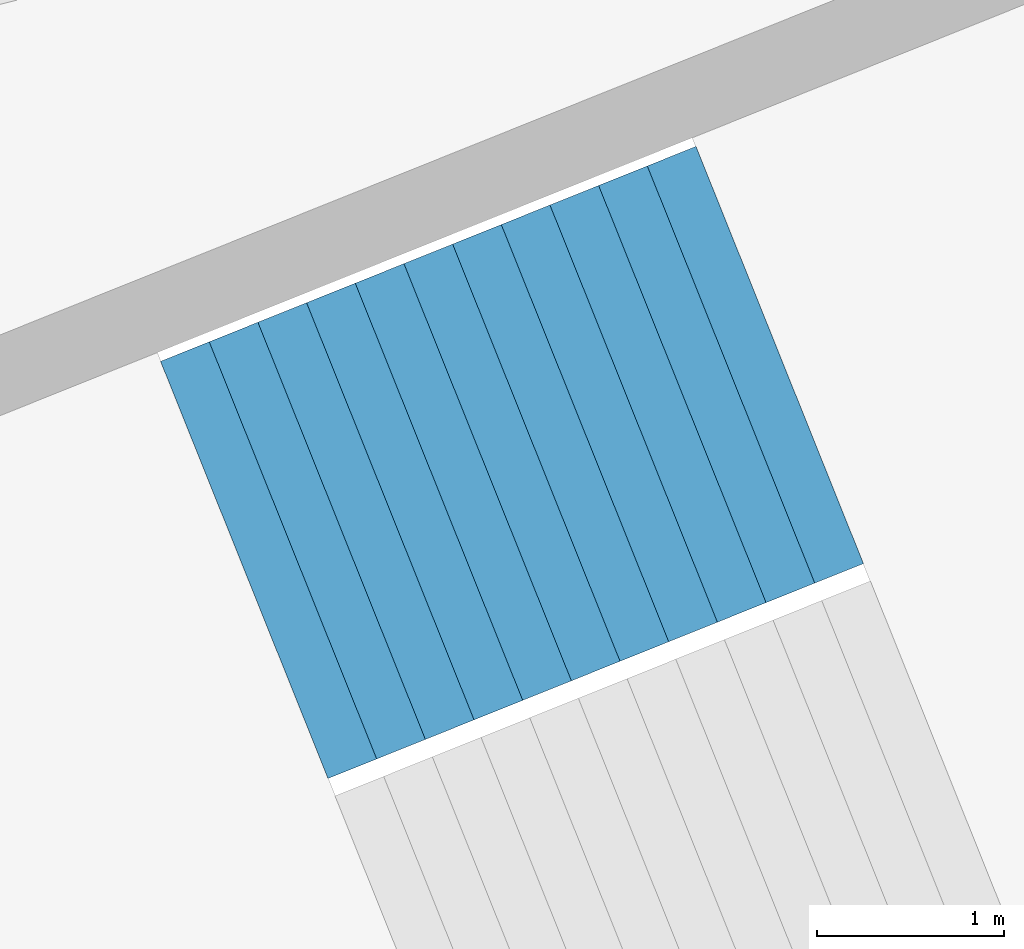
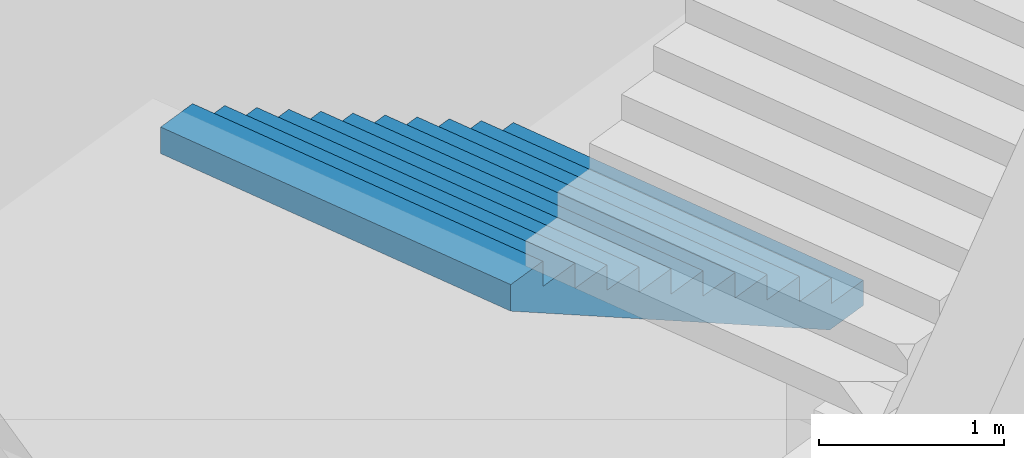
# One storey, part 21 of 74: 1 stair flight, 1 element without a shape of its own.
"""IFC4 building model written with IfcOpenShell, lengths in metres."""

from ifc_helpers import new_model, si_unit, direction, frame, origin, place, context, subcontext, project, spatial, triangles, material, type_object, element, aggregate, save


model = new_model("IFC4")

# Units and contexts
model_context = context("Model", 3, precision=1e-05, world=origin(), true_north=direction((0.0, 1.0)))
body_context = subcontext(model_context, "Body", "Model", "MODEL_VIEW")
ifc_project = project(units=[si_unit("LENGTHUNIT", "METRE"), si_unit("AREAUNIT", "SQUARE_METRE"), si_unit("VOLUMEUNIT", "CUBIC_METRE"), si_unit("PLANEANGLEUNIT", "RADIAN"), si_unit("MASSUNIT", "GRAM", prefix="KILO")], contexts=[model_context])

# Site, building, storey
site_placement = place(None, origin())
site = spatial("IfcSite", under=ifc_project, at=site_placement, CompositionType="ELEMENT")
building_placement = place(site_placement, origin())
building = spatial("IfcBuilding", under=site, at=building_placement, Name="Lantaw Convention Tower", CompositionType="ELEMENT")
storey_placement = place(building_placement, frame((0.0, 0.0, 6.5)))
storey = spatial("IfcBuildingStorey", under=building, at=storey_placement, Name="L01", CompositionType="ELEMENT", Elevation=6.5)

# Stair, stair flight
ifc_material = material(Name="Concrete C35/45", Category="concrete")
stair_type = type_object("IfcStairType", Name="Exit stair 2400 riser 166.67 in 4 flights", PredefinedType="HALF_TURN_STAIR", material=ifc_material)
stair_placement = place(storey_placement, origin())
stair = element("IfcStair", 1, at=stair_placement, inside=storey, type_object=stair_type, Name="Podium exit stair P11 L01", PredefinedType="HALF_TURN_STAIR")
stair_flight_type = type_object("IfcStairFlightType", Name="Stair flight 2400 riser 166.67", PredefinedType="STRAIGHT", material=ifc_material)
stair_flight_placement = place(storey_placement, frame((-30.017578125, -10.703369140625, 4.0), z_axis=(0.0, 0.0, 1.0), x_axis=(-0.928015168305, -0.372542410198, 0.0)))
stair_flight = element("IfcStairFlight", 2, at=stair_flight_placement, type_object=stair_flight_type, Name="P11 flight 3", NumberOfRisers=12, NumberOfTreads=11, PredefinedType="STRAIGHT", RiserHeight=0.166666667, TreadLength=0.28, context=body_context, shape_type="Tessellation", body=[
    triangles([(0.0, 1.199951171875, 0.0), (0.0, 1.199951171875, 0.166666667), (0.28, 1.199951171875, 0.0), (0.28, 1.199951171875, 0.166666667), (0.28, 1.199951171875, 0.333333334), (0.29307345806906726, 1.199951171875, 0.0), (0.29307345806906726, 1.199951171875, 0.333333334), (0.56, 1.199951171875, 0.15888484670522965), (0.56, 1.199951171875, 0.333333334), (0.56, 1.199951171875, 0.500000001), (0.8400000000000001, 1.199951171875, 0.3255515137052296), (0.8400000000000001, 1.199951171875, 0.500000001), (0.8400000000000001, 1.199951171875, 0.666666668), (1.12, 1.199951171875, 0.4922181807052296), (1.12, 1.199951171875, 0.666666668), (1.12, 1.199951171875, 0.833333335), (1.4000000000000001, 1.199951171875, 0.6588848477052296), (1.4000000000000001, 1.199951171875, 0.833333335), (1.4000000000000001, 1.199951171875, 1.000000002), (1.6800000000000002, 1.199951171875, 0.8255515147052296), (1.6800000000000002, 1.199951171875, 1.000000002), (1.6800000000000002, 1.199951171875, 1.166666669), (1.9600000000000002, 1.199951171875, 0.9922181817052296), (1.9600000000000002, 1.199951171875, 1.166666669), (1.9600000000000002, 1.199951171875, 1.333333336), (2.24, 1.199951171875, 1.1588848487052295), (2.24, 1.199951171875, 1.333333336), (2.24, 1.199951171875, 1.5000000029999998), (2.5200000000000005, 1.199951171875, 1.3255515157052296), (2.5200000000000005, 1.199951171875, 1.5000000029999998), (2.5200000000000005, 1.199951171875, 1.66666667), (2.8000000000000003, 1.199951171875, 1.4922181827052294), (2.8000000000000003, 1.199951171875, 1.66666667), (2.8000000000000003, 1.199951171875, 1.833333337), (3.08, 1.199951171875, 1.6588848497052293), (3.08, 1.199951171875, 1.833333337), (0.0, -1.199951171875, 0.0), (0.0, -1.199951171875, 0.166666667), (0.28, -1.199951171875, 0.0), (0.28, -1.199951171875, 0.166666667), (0.28, -1.199951171875, 0.333333334), (0.29307345806906726, -1.199951171875, 0.0), (0.29307345806906726, -1.199951171875, 0.333333334), (0.56, -1.199951171875, 0.15888484670522965), (0.56, -1.199951171875, 0.333333334), (0.56, -1.199951171875, 0.500000001), (0.8400000000000001, -1.199951171875, 0.3255515137052296), (0.8400000000000001, -1.199951171875, 0.500000001), (0.8400000000000001, -1.199951171875, 0.666666668), (1.12, -1.199951171875, 0.4922181807052296), (1.12, -1.199951171875, 0.666666668), (1.12, -1.199951171875, 0.833333335), (1.4000000000000001, -1.199951171875, 0.6588848477052296), (1.4000000000000001, -1.199951171875, 0.833333335), (1.4000000000000001, -1.199951171875, 1.000000002), (1.6800000000000002, -1.199951171875, 0.8255515147052296), (1.6800000000000002, -1.199951171875, 1.000000002), (1.6800000000000002, -1.199951171875, 1.166666669), (1.9600000000000002, -1.199951171875, 0.9922181817052296), (1.9600000000000002, -1.199951171875, 1.166666669), (1.9600000000000002, -1.199951171875, 1.333333336), (2.24, -1.199951171875, 1.1588848487052295), (2.24, -1.199951171875, 1.333333336), (2.24, -1.199951171875, 1.5000000029999998), (2.5200000000000005, -1.199951171875, 1.3255515157052296), (2.5200000000000005, -1.199951171875, 1.5000000029999998), (2.5200000000000005, -1.199951171875, 1.66666667), (2.8000000000000003, -1.199951171875, 1.4922181827052294), (2.8000000000000003, -1.199951171875, 1.66666667), (2.8000000000000003, -1.199951171875, 1.833333337), (3.08, -1.199951171875, 1.6588848497052293), (3.08, -1.199951171875, 1.833333337), (0.0, 0.239990234375, 0.166666667), (0.0, 0.239990234375, 0.0), (0.0, 0.1199951171875, 0.166666667), (0.0, 0.1199951171875, 0.0), (0.0, 0.0, 0.166666667), (0.0, 0.0, 0.0), (0.0, -0.1199951171875, 0.166666667), (0.0, -0.1199951171875, 0.0), (0.0, -0.239990234375, 0.166666667), (0.0, -0.239990234375, 0.0), (0.28, 0.239990234375, 0.333333334), (0.28, 0.239990234375, 0.166666667), (0.28, 0.1199951171875, 0.333333334), (0.28, 0.1199951171875, 0.166666667), (0.28, 0.0, 0.333333334), (0.28, 0.0, 0.166666667), (0.28, -0.1199951171875, 0.333333334), (0.28, -0.1199951171875, 0.166666667), (0.28, -0.239990234375, 0.333333334), (0.28, -0.239990234375, 0.166666667), (0.56, 0.239990234375, 0.500000001), (0.56, 0.239990234375, 0.333333334), (0.56, 0.1199951171875, 0.500000001), (0.56, 0.1199951171875, 0.333333334), (0.56, 0.0, 0.500000001), (0.56, 0.0, 0.333333334), (0.56, -0.1199951171875, 0.500000001), (0.56, -0.1199951171875, 0.333333334), (0.56, -0.239990234375, 0.500000001), (0.56, -0.239990234375, 0.333333334), (0.8400000000000001, 0.239990234375, 0.666666668), (0.8400000000000001, 0.239990234375, 0.500000001), (0.8400000000000001, 0.1199951171875, 0.666666668), (0.8400000000000001, 0.1199951171875, 0.500000001), (0.8400000000000001, 0.0, 0.666666668), (0.8400000000000001, 0.0, 0.500000001), (0.8400000000000001, -0.1199951171875, 0.666666668), (0.8400000000000001, -0.1199951171875, 0.500000001), (0.8400000000000001, -0.239990234375, 0.666666668), (0.8400000000000001, -0.239990234375, 0.500000001), (1.12, 0.239990234375, 0.833333335), (1.12, 0.239990234375, 0.666666668), (1.12, 0.1199951171875, 0.833333335), (1.12, 0.1199951171875, 0.666666668), (1.12, 0.0, 0.833333335), (1.12, 0.0, 0.666666668), (1.12, -0.1199951171875, 0.833333335), (1.12, -0.1199951171875, 0.666666668), (1.12, -0.239990234375, 0.833333335), (1.12, -0.239990234375, 0.666666668), (1.4000000000000001, 0.239990234375, 1.000000002), (1.4000000000000001, 0.239990234375, 0.833333335), (1.4000000000000001, 0.1199951171875, 1.000000002), (1.4000000000000001, 0.1199951171875, 0.833333335), (1.4000000000000001, 0.0, 1.000000002), (1.4000000000000001, 0.0, 0.833333335), (1.4000000000000001, -0.1199951171875, 1.000000002), (1.4000000000000001, -0.1199951171875, 0.833333335), (1.4000000000000001, -0.239990234375, 1.000000002), (1.4000000000000001, -0.239990234375, 0.833333335), (1.6800000000000002, 0.239990234375, 1.166666669), (1.6800000000000002, 0.239990234375, 1.000000002), (1.6800000000000002, 0.1199951171875, 1.166666669), (1.6800000000000002, 0.1199951171875, 1.000000002), (1.6800000000000002, 0.0, 1.166666669), (1.6800000000000002, 0.0, 1.000000002), (1.6800000000000002, -0.1199951171875, 1.166666669), (1.6800000000000002, -0.1199951171875, 1.000000002), (1.6800000000000002, -0.239990234375, 1.166666669), (1.6800000000000002, -0.239990234375, 1.000000002), (1.9600000000000002, 0.239990234375, 1.333333336), (1.9600000000000002, 0.239990234375, 1.166666669), (1.9600000000000002, 0.1199951171875, 1.333333336), (1.9600000000000002, 0.1199951171875, 1.166666669), (1.9600000000000002, 0.0, 1.333333336), (1.9600000000000002, 0.0, 1.166666669), (1.9600000000000002, -0.1199951171875, 1.333333336), (1.9600000000000002, -0.1199951171875, 1.166666669), (1.9600000000000002, -0.239990234375, 1.333333336), (1.9600000000000002, -0.239990234375, 1.166666669), (2.24, 0.239990234375, 1.5000000029999998), (2.24, 0.239990234375, 1.333333336), (2.24, 0.1199951171875, 1.5000000029999998), (2.24, 0.1199951171875, 1.333333336), (2.24, 0.0, 1.5000000029999998), (2.24, 0.0, 1.333333336), (2.24, -0.1199951171875, 1.5000000029999998), (2.24, -0.1199951171875, 1.333333336), (2.24, -0.239990234375, 1.5000000029999998), (2.24, -0.239990234375, 1.333333336), (2.5200000000000005, 0.239990234375, 1.66666667), (2.5200000000000005, 0.239990234375, 1.5000000029999998), (2.5200000000000005, 0.1199951171875, 1.66666667), (2.5200000000000005, 0.1199951171875, 1.5000000029999998), (2.5200000000000005, 0.0, 1.66666667), (2.5200000000000005, 0.0, 1.5000000029999998), (2.5200000000000005, -0.1199951171875, 1.66666667), (2.5200000000000005, -0.1199951171875, 1.5000000029999998), (2.5200000000000005, -0.239990234375, 1.66666667), (2.5200000000000005, -0.239990234375, 1.5000000029999998), (2.8000000000000003, 0.239990234375, 1.833333337), (2.8000000000000003, 0.239990234375, 1.66666667), (2.8000000000000003, 0.1199951171875, 1.833333337), (2.8000000000000003, 0.1199951171875, 1.66666667), (2.8000000000000003, 0.0, 1.833333337), (2.8000000000000003, 0.0, 1.66666667), (2.8000000000000003, -0.1199951171875, 1.833333337), (2.8000000000000003, -0.1199951171875, 1.66666667), (2.8000000000000003, -0.239990234375, 1.833333337), (2.8000000000000003, -0.239990234375, 1.66666667), (0.29307345806906726, 0.239990234375, 0.333333334), (0.29307345806906726, 0.1199951171875, 0.333333334), (0.29307345806906726, 0.0, 0.333333334), (0.29307345806906726, -0.1199951171875, 0.333333334), (0.29307345806906726, -0.239990234375, 0.333333334), (3.08, 0.239990234375, 1.833333337), (3.08, 0.1199951171875, 1.833333337), (3.08, 0.0, 1.833333337), (3.08, -0.1199951171875, 1.833333337), (3.08, -0.239990234375, 1.833333337), (3.08, 0.239990234375, 1.6588848497052293), (3.08, 0.1199951171875, 1.6588848497052293), (3.08, 0.0, 1.6588848497052293), (3.08, -0.1199951171875, 1.6588848497052293), (3.08, -0.239990234375, 1.6588848497052293), (2.8000000000000003, 0.239990234375, 1.4922181827052294), (2.8000000000000003, 0.1199951171875, 1.4922181827052294), (2.8000000000000003, 0.0, 1.4922181827052294), (2.8000000000000003, -0.1199951171875, 1.4922181827052294), (2.8000000000000003, -0.239990234375, 1.4922181827052294), (2.5200000000000005, 0.239990234375, 1.3255515157052296), (2.5200000000000005, 0.1199951171875, 1.3255515157052296), (2.5200000000000005, 0.0, 1.3255515157052296), (2.5200000000000005, -0.1199951171875, 1.3255515157052296), (2.5200000000000005, -0.239990234375, 1.3255515157052296), (2.24, 0.239990234375, 1.1588848487052295), (2.24, 0.1199951171875, 1.1588848487052295), (2.24, 0.0, 1.1588848487052295), (2.24, -0.1199951171875, 1.1588848487052295), (2.24, -0.239990234375, 1.1588848487052295), (1.9600000000000002, 0.239990234375, 0.9922181817052296), (1.9600000000000002, 0.1199951171875, 0.9922181817052296), (1.9600000000000002, 0.0, 0.9922181817052296), (1.9600000000000002, -0.1199951171875, 0.9922181817052296), (1.9600000000000002, -0.239990234375, 0.9922181817052296), (1.6800000000000002, 0.239990234375, 0.8255515147052296), (1.6800000000000002, 0.1199951171875, 0.8255515147052296), (1.6800000000000002, 0.0, 0.8255515147052296), (1.6800000000000002, -0.1199951171875, 0.8255515147052296), (1.6800000000000002, -0.239990234375, 0.8255515147052296), (1.4000000000000001, 0.239990234375, 0.6588848477052296), (1.4000000000000001, 0.1199951171875, 0.6588848477052296), (1.4000000000000001, 0.0, 0.6588848477052296), (1.4000000000000001, -0.1199951171875, 0.6588848477052296), (1.4000000000000001, -0.239990234375, 0.6588848477052296), (1.12, 0.239990234375, 0.4922181807052296), (1.12, 0.1199951171875, 0.4922181807052296), (1.12, 0.0, 0.4922181807052296), (1.12, -0.1199951171875, 0.4922181807052296), (1.12, -0.239990234375, 0.4922181807052296), (0.8400000000000001, 0.239990234375, 0.3255515137052296), (0.8400000000000001, 0.1199951171875, 0.3255515137052296), (0.8400000000000001, 0.0, 0.3255515137052296), (0.8400000000000001, -0.1199951171875, 0.3255515137052296), (0.8400000000000001, -0.239990234375, 0.3255515137052296), (0.56, 0.239990234375, 0.15888484670522965), (0.56, 0.1199951171875, 0.15888484670522965), (0.56, 0.0, 0.15888484670522965), (0.56, -0.1199951171875, 0.15888484670522965), (0.56, -0.239990234375, 0.15888484670522965), (0.29307345806906726, 0.239990234375, 0.0), (0.29307345806906726, 0.1199951171875, 0.0), (0.29307345806906726, 0.0, 0.0), (0.29307345806906726, -0.1199951171875, 0.0), (0.29307345806906726, -0.239990234375, 0.0), (0.28, 0.239990234375, 0.0), (0.28, 0.1199951171875, 0.0), (0.28, 0.0, 0.0), (0.28, -0.1199951171875, 0.0), (0.28, -0.239990234375, 0.0)], [[1, 4, 3], [1, 2, 4], [3, 4, 6], [4, 7, 6], [4, 5, 7], [6, 9, 8], [6, 7, 9], [8, 9, 11], [9, 12, 11], [9, 10, 12], [11, 12, 14], [12, 15, 14], [12, 13, 15], [14, 15, 17], [15, 18, 17], [15, 16, 18], [17, 18, 20], [18, 21, 20], [18, 19, 21], [20, 21, 23], [21, 24, 23], [21, 22, 24], [23, 24, 26], [24, 27, 26], [24, 25, 27], [26, 27, 29], [27, 30, 29], [27, 28, 30], [29, 30, 32], [30, 33, 32], [30, 31, 33], [32, 33, 35], [33, 36, 35], [33, 34, 36], [37, 39, 40], [37, 40, 38], [39, 42, 40], [40, 42, 43], [40, 43, 41], [42, 44, 45], [42, 45, 43], [44, 47, 45], [45, 47, 48], [45, 48, 46], [47, 50, 48], [48, 50, 51], [48, 51, 49], [50, 53, 51], [51, 53, 54], [51, 54, 52], [53, 56, 54], [54, 56, 57], [54, 57, 55], [56, 59, 57], [57, 59, 60], [57, 60, 58], [59, 62, 60], [60, 62, 63], [60, 63, 61], [62, 65, 63], [63, 65, 66], [63, 66, 64], [65, 68, 66], [66, 68, 69], [66, 69, 67], [68, 71, 69], [69, 71, 72], [69, 72, 70], [1, 73, 2], [1, 74, 73], [74, 75, 73], [74, 76, 75], [76, 77, 75], [76, 78, 77], [78, 79, 77], [78, 80, 79], [80, 81, 79], [80, 82, 81], [82, 38, 81], [82, 37, 38], [4, 83, 5], [4, 84, 83], [84, 85, 83], [84, 86, 85], [86, 87, 85], [86, 88, 87], [88, 89, 87], [88, 90, 89], [90, 91, 89], [90, 92, 91], [92, 41, 91], [92, 40, 41], [9, 93, 10], [9, 94, 93], [94, 95, 93], [94, 96, 95], [96, 97, 95], [96, 98, 97], [98, 99, 97], [98, 100, 99], [100, 101, 99], [100, 102, 101], [102, 46, 101], [102, 45, 46], [12, 103, 13], [12, 104, 103], [104, 105, 103], [104, 106, 105], [106, 107, 105], [106, 108, 107], [108, 109, 107], [108, 110, 109], [110, 111, 109], [110, 112, 111], [112, 49, 111], [112, 48, 49], [15, 113, 16], [15, 114, 113], [114, 115, 113], [114, 116, 115], [116, 117, 115], [116, 118, 117], [118, 119, 117], [118, 120, 119], [120, 121, 119], [120, 122, 121], [122, 52, 121], [122, 51, 52], [18, 123, 19], [18, 124, 123], [124, 125, 123], [124, 126, 125], [126, 127, 125], [126, 128, 127], [128, 129, 127], [128, 130, 129], [130, 131, 129], [130, 132, 131], [132, 55, 131], [132, 54, 55], [21, 133, 22], [21, 134, 133], [134, 135, 133], [134, 136, 135], [136, 137, 135], [136, 138, 137], [138, 139, 137], [138, 140, 139], [140, 141, 139], [140, 142, 141], [142, 58, 141], [142, 57, 58], [24, 143, 25], [24, 144, 143], [144, 145, 143], [144, 146, 145], [146, 147, 145], [146, 148, 147], [148, 149, 147], [148, 150, 149], [150, 151, 149], [150, 152, 151], [152, 61, 151], [152, 60, 61], [27, 153, 28], [27, 154, 153], [154, 155, 153], [154, 156, 155], [156, 157, 155], [156, 158, 157], [158, 159, 157], [158, 160, 159], [160, 161, 159], [160, 162, 161], [162, 64, 161], [162, 63, 64], [30, 163, 31], [30, 164, 163], [164, 165, 163], [164, 166, 165], [166, 167, 165], [166, 168, 167], [168, 169, 167], [168, 170, 169], [170, 171, 169], [170, 172, 171], [172, 67, 171], [172, 66, 67], [33, 173, 34], [33, 174, 173], [174, 175, 173], [174, 176, 175], [176, 177, 175], [176, 178, 177], [178, 179, 177], [178, 180, 179], [180, 181, 179], [180, 182, 181], [182, 70, 181], [182, 69, 70], [2, 84, 4], [2, 73, 84], [73, 86, 84], [73, 75, 86], [75, 88, 86], [75, 77, 88], [77, 90, 88], [77, 79, 90], [79, 92, 90], [79, 81, 92], [81, 40, 92], [81, 38, 40], [5, 183, 7], [5, 83, 183], [83, 184, 183], [83, 85, 184], [85, 185, 184], [85, 87, 185], [87, 186, 185], [87, 89, 186], [89, 187, 186], [89, 91, 187], [91, 43, 187], [91, 41, 43], [7, 94, 9], [7, 183, 94], [183, 96, 94], [183, 184, 96], [184, 98, 96], [184, 185, 98], [185, 100, 98], [185, 186, 100], [186, 102, 100], [186, 187, 102], [187, 45, 102], [187, 43, 45], [10, 104, 12], [10, 93, 104], [93, 106, 104], [93, 95, 106], [95, 108, 106], [95, 97, 108], [97, 110, 108], [97, 99, 110], [99, 112, 110], [99, 101, 112], [101, 48, 112], [101, 46, 48], [13, 114, 15], [13, 103, 114], [103, 116, 114], [103, 105, 116], [105, 118, 116], [105, 107, 118], [107, 120, 118], [107, 109, 120], [109, 122, 120], [109, 111, 122], [111, 51, 122], [111, 49, 51], [16, 124, 18], [16, 113, 124], [113, 126, 124], [113, 115, 126], [115, 128, 126], [115, 117, 128], [117, 130, 128], [117, 119, 130], [119, 132, 130], [119, 121, 132], [121, 54, 132], [121, 52, 54], [19, 134, 21], [19, 123, 134], [123, 136, 134], [123, 125, 136], [125, 138, 136], [125, 127, 138], [127, 140, 138], [127, 129, 140], [129, 142, 140], [129, 131, 142], [131, 57, 142], [131, 55, 57], [22, 144, 24], [22, 133, 144], [133, 146, 144], [133, 135, 146], [135, 148, 146], [135, 137, 148], [137, 150, 148], [137, 139, 150], [139, 152, 150], [139, 141, 152], [141, 60, 152], [141, 58, 60], [25, 154, 27], [25, 143, 154], [143, 156, 154], [143, 145, 156], [145, 158, 156], [145, 147, 158], [147, 160, 158], [147, 149, 160], [149, 162, 160], [149, 151, 162], [151, 63, 162], [151, 61, 63], [28, 164, 30], [28, 153, 164], [153, 166, 164], [153, 155, 166], [155, 168, 166], [155, 157, 168], [157, 170, 168], [157, 159, 170], [159, 172, 170], [159, 161, 172], [161, 66, 172], [161, 64, 66], [31, 174, 33], [31, 163, 174], [163, 176, 174], [163, 165, 176], [165, 178, 176], [165, 167, 178], [167, 180, 178], [167, 169, 180], [169, 182, 180], [169, 171, 182], [171, 69, 182], [171, 67, 69], [34, 188, 36], [34, 173, 188], [173, 189, 188], [173, 175, 189], [175, 190, 189], [175, 177, 190], [177, 191, 190], [177, 179, 191], [179, 192, 191], [179, 181, 192], [181, 72, 192], [181, 70, 72], [36, 193, 35], [36, 188, 193], [188, 194, 193], [188, 189, 194], [189, 195, 194], [189, 190, 195], [190, 196, 195], [190, 191, 196], [191, 197, 196], [191, 192, 197], [192, 71, 197], [192, 72, 71], [35, 198, 32], [35, 193, 198], [193, 199, 198], [193, 194, 199], [194, 200, 199], [194, 195, 200], [195, 201, 200], [195, 196, 201], [196, 202, 201], [196, 197, 202], [197, 68, 202], [197, 71, 68], [32, 203, 29], [32, 198, 203], [198, 204, 203], [198, 199, 204], [199, 205, 204], [199, 200, 205], [200, 206, 205], [200, 201, 206], [201, 207, 206], [201, 202, 207], [202, 65, 207], [202, 68, 65], [29, 208, 26], [29, 203, 208], [203, 209, 208], [203, 204, 209], [204, 210, 209], [204, 205, 210], [205, 211, 210], [205, 206, 211], [206, 212, 211], [206, 207, 212], [207, 62, 212], [207, 65, 62], [26, 213, 23], [26, 208, 213], [208, 214, 213], [208, 209, 214], [209, 215, 214], [209, 210, 215], [210, 216, 215], [210, 211, 216], [211, 217, 216], [211, 212, 217], [212, 59, 217], [212, 62, 59], [23, 218, 20], [23, 213, 218], [213, 219, 218], [213, 214, 219], [214, 220, 219], [214, 215, 220], [215, 221, 220], [215, 216, 221], [216, 222, 221], [216, 217, 222], [217, 56, 222], [217, 59, 56], [20, 223, 17], [20, 218, 223], [218, 224, 223], [218, 219, 224], [219, 225, 224], [219, 220, 225], [220, 226, 225], [220, 221, 226], [221, 227, 226], [221, 222, 227], [222, 53, 227], [222, 56, 53], [17, 228, 14], [17, 223, 228], [223, 229, 228], [223, 224, 229], [224, 230, 229], [224, 225, 230], [225, 231, 230], [225, 226, 231], [226, 232, 231], [226, 227, 232], [227, 50, 232], [227, 53, 50], [14, 233, 11], [14, 228, 233], [228, 234, 233], [228, 229, 234], [229, 235, 234], [229, 230, 235], [230, 236, 235], [230, 231, 236], [231, 237, 236], [231, 232, 237], [232, 47, 237], [232, 50, 47], [11, 238, 8], [11, 233, 238], [233, 239, 238], [233, 234, 239], [234, 240, 239], [234, 235, 240], [235, 241, 240], [235, 236, 241], [236, 242, 241], [236, 237, 242], [237, 44, 242], [237, 47, 44], [8, 243, 6], [8, 238, 243], [238, 244, 243], [238, 239, 244], [239, 245, 244], [239, 240, 245], [240, 246, 245], [240, 241, 246], [241, 247, 246], [241, 242, 247], [242, 42, 247], [242, 44, 42], [6, 248, 3], [6, 243, 248], [243, 249, 248], [243, 244, 249], [244, 250, 249], [244, 245, 250], [245, 251, 250], [245, 246, 251], [246, 252, 251], [246, 247, 252], [247, 39, 252], [247, 42, 39], [3, 74, 1], [3, 248, 74], [248, 76, 74], [248, 249, 76], [249, 78, 76], [249, 250, 78], [250, 80, 78], [250, 251, 80], [251, 82, 80], [251, 252, 82], [252, 37, 82], [252, 39, 37]], closed=True),
])
aggregate(stair, [stair_flight])

save(model, "model.ifc")
